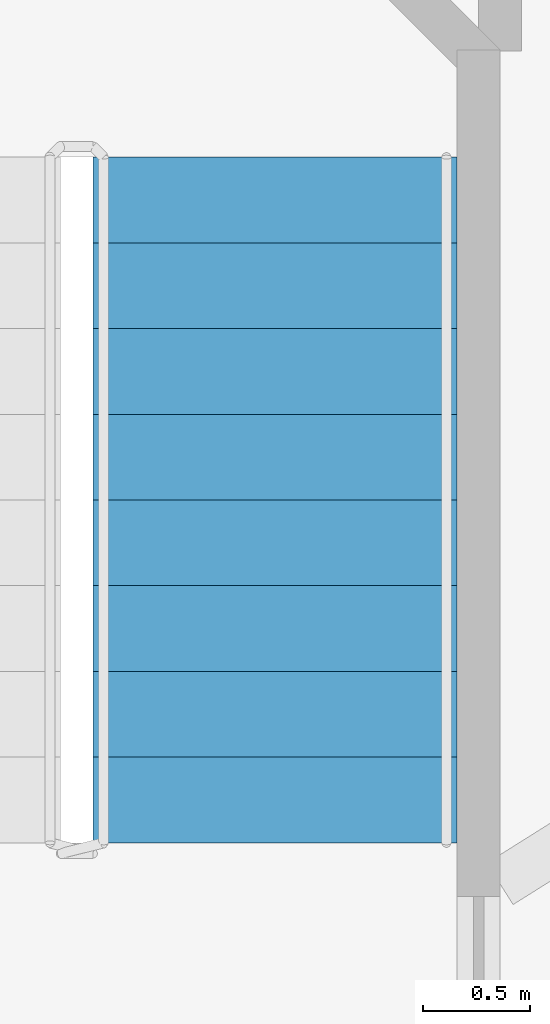
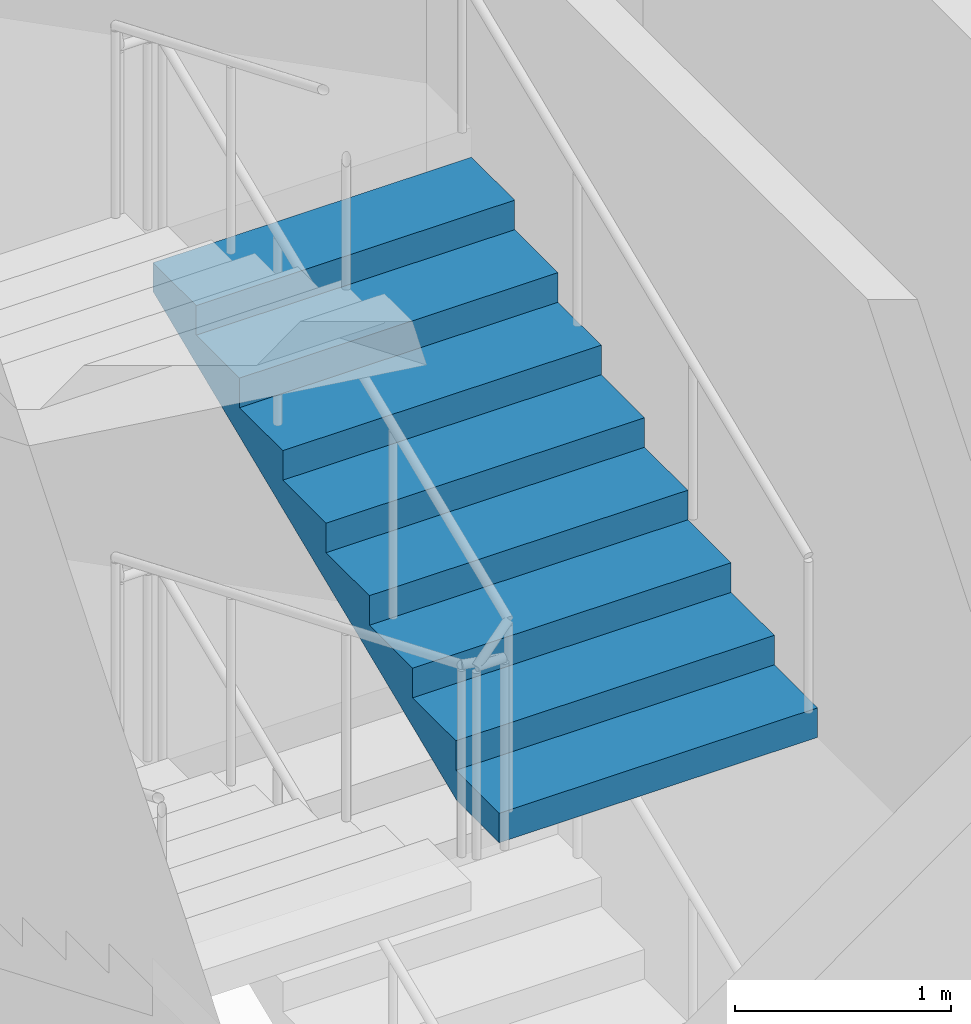
# One storey, part 11 of 14: 1 stair flight, 1 element without a shape of its own.
"""IFC4 building model written with IfcOpenShell, lengths in metres."""

from ifc_helpers import new_model, si_unit, direction, frame, origin, place, context, subcontext, project, spatial, polyline, outline, extrude, material, type_object, element, aggregate, save


model = new_model("IFC4")

# Units and contexts
model_context = context("Model", 3, precision=1e-05, world=origin(), true_north=direction((0.0, 1.0)))
body_context = subcontext(model_context, "Body", "Model", "MODEL_VIEW")
ifc_project = project(units=[si_unit("LENGTHUNIT", "METRE"), si_unit("AREAUNIT", "SQUARE_METRE"), si_unit("VOLUMEUNIT", "CUBIC_METRE"), si_unit("PLANEANGLEUNIT", "RADIAN"), si_unit("MASSUNIT", "GRAM", prefix="KILO")], contexts=[model_context])

# Site, building, storey
site_placement = place(None, origin())
site = spatial("IfcSite", under=ifc_project, at=site_placement, CompositionType="ELEMENT")
building_placement = place(site_placement, origin())
building = spatial("IfcBuilding", under=site, at=building_placement, Name="Noor Cloister Tower", CompositionType="ELEMENT")
storey_placement = place(building_placement, origin())
storey = spatial("IfcBuildingStorey", under=building, at=storey_placement, Name="L00", CompositionType="ELEMENT", Elevation=0.0)

# Stair, stair flight
ifc_material_1 = material(Name="Concrete C40/50", Category="concrete")
stair_type = type_object("IfcStairType", Name="Exit stair 36 risers", PredefinedType="HALF_TURN_STAIR", material=ifc_material_1)
stair_placement = place(storey_placement, origin())
stair = element("IfcStair", 1, at=stair_placement, inside=storey, type_object=stair_type, Name="Exit stair ST1 L00", PredefinedType="HALF_TURN_STAIR")
ifc_material_2 = material(Name="Concrete C40/50", Category="concrete")
stair_flight_type = type_object("IfcStairFlightType", Name="Exit stair flight", PredefinedType="STRAIGHT", material=ifc_material_2)
stair_flight_placement = place(storey_placement, frame((4.28564453125, 13.3564453125, 3.0), z_axis=(0.0, 0.0, 1.0), x_axis=(0.0, 1.0, 0.0)))
stair_flight = element("IfcStairFlight", 2, at=stair_flight_placement, type_object=stair_flight_type, Name="ST1 flight 3", NumberOfRisers=9, NumberOfTreads=8, PredefinedType="STRAIGHT", RiserHeight=0.166666667, TreadLength=0.4, context=body_context, shape_type="SweptSolid", body=[
    extrude(outline(polyline([(0.0, 0.0), (0.0, 0.166748046875), (0.39990234375, 0.166748046875), (0.39990234375, 0.333251953125), (0.800048828125, 0.333251953125), (0.800048828125, 0.5), (1.199951171875, 0.5), (1.199951171875, 0.666748046875), (1.60009765625, 0.666748046875), (1.60009765625, 0.833251953125), (2.0, 0.833251953125), (2.0, 1.0), (2.39990234375, 1.0), (2.39990234375, 1.166748046875), (2.800048828125, 1.166748046875), (2.800048828125, 1.333251953125), (3.199951171875, 1.333251953125), (3.199951171875, 1.5), (3.199951171875, 1.1708984375), (0.3896484375, 0.0), (0.0, 0.0)])), frame((0.0, 0.85009765625, 0.0), z_axis=(0.0, -1.0, 0.0), x_axis=(1.0, 0.0, 0.0)), (0.0, 0.0, 1.0), 1.699951171875),
])
aggregate(stair, [stair_flight])

save(model, "model.ifc")
